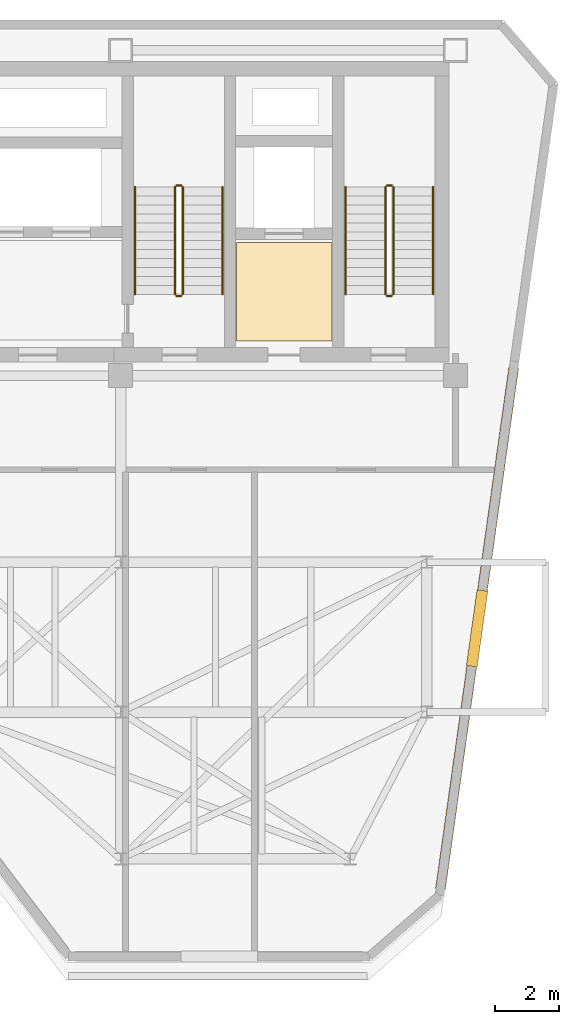
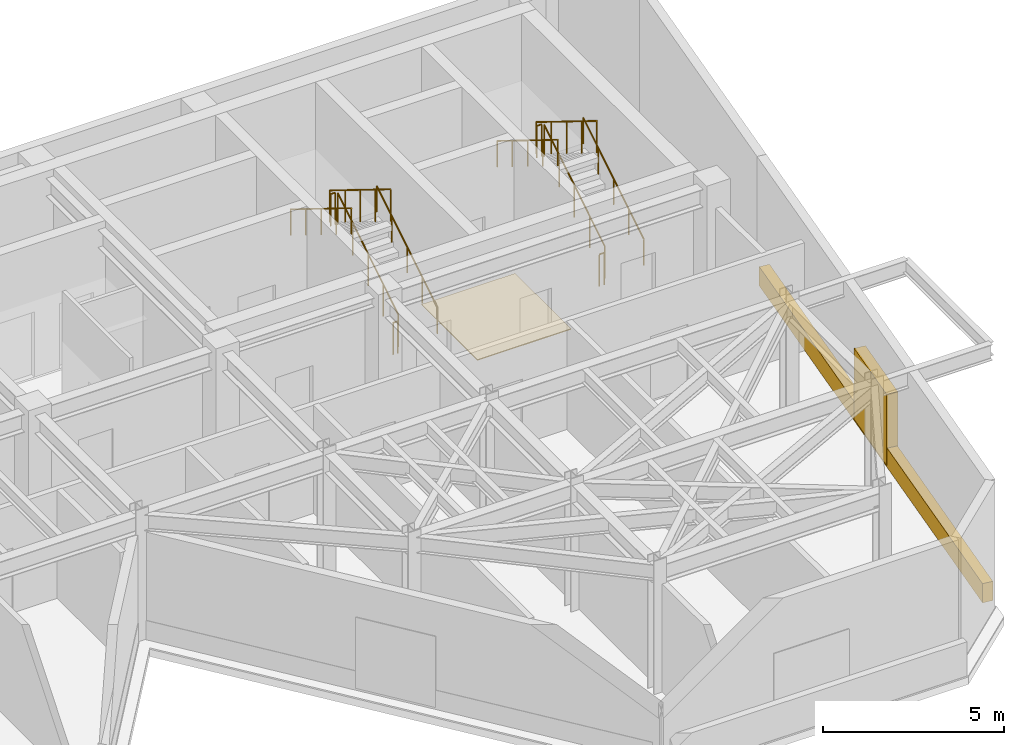
# One storey, part 6 of 6: 12 railings, 2 coverings, 1 shading device.
"""IFC4 building model written with IfcOpenShell, lengths in metres."""

from ifc_helpers import new_model, si_unit, direction, frame, origin, origin_2d, place, context, subcontext, project, spatial, polyline, rectangle, circle, outline, extrude, material, layer, layer_set, type_object, element, save


model = new_model("IFC4")

# Units and contexts
model_context = context("Model", 3, precision=1e-05, world=origin(), true_north=direction((0.0, 1.0)))
body_context = subcontext(model_context, "Body", "Model", "MODEL_VIEW")
ifc_project = project(units=[si_unit("LENGTHUNIT", "METRE"), si_unit("AREAUNIT", "SQUARE_METRE"), si_unit("VOLUMEUNIT", "CUBIC_METRE"), si_unit("PLANEANGLEUNIT", "RADIAN"), si_unit("MASSUNIT", "GRAM", prefix="KILO")], contexts=[model_context])

# Site, building, storey
site_placement = place(None, origin())
site = spatial("IfcSite", under=ifc_project, at=site_placement, CompositionType="ELEMENT")
building_placement = place(site_placement, origin())
building = spatial("IfcBuilding", under=site, at=building_placement, Name="Kravanh Interchange Tower", CompositionType="ELEMENT")
storey_placement = place(building_placement, frame((0.0, 0.0, 277.800048828125)))
storey = spatial("IfcBuildingStorey", under=building, at=storey_placement, Name="L68", CompositionType="ELEMENT", Elevation=277.800048828125)

# Shading device
ifc_material_1 = material(Name="Extruded Bronze Aluminium Acoustic Blades", Category="aluminium")
ifc_layer_1 = layer(ifc_material_1, 0.219970703125)
ifc_layer_set_1 = layer_set([ifc_layer_1], Name="Acoustic Weatherproof Plant Louvre Bank")
shading_device_type = type_object("IfcShadingDeviceType", Name="Acoustic Weatherproof Plant Louvre Bank", PredefinedType="JALOUSIE", material=ifc_layer_set_1)
shading_device_placement = place(storey_placement, frame((67.177978515625, 29.42578125, 0.10009765625), z_axis=(0.0, 0.0, 1.0), x_axis=(-0.139174151275, -0.990267921129, 0.0)))
element("IfcShadingDevice", 1, at=shading_device_placement, inside=storey, type_object=shading_device_type, Name="L68 Exterior Acoustic Louvre 7", PredefinedType="JALOUSIE", context=body_context, shape_type="SweptSolid", body=[
    extrude(rectangle(XDim=2.39990234375, YDim=0.340087890625, at=origin_2d()), origin(), (0.0, 0.0, 1.0), 2.39990234375),
])

# Coverings
ifc_material_2 = material(Name="Anodised Champagne Bronze Aluminium", Category="aluminium")
ifc_layer_2 = layer(ifc_material_2, 0.02490234375)
ifc_layer_set_2 = layer_set([ifc_layer_2], Name="Anodised Bronze Spandrel Fascia Cladding 25mm")
covering_type_1 = type_object("IfcCoveringType", Name="Anodised Bronze Spandrel Fascia Cladding 25mm", PredefinedType="CLADDING", material=ifc_layer_set_2)
covering_1_placement = place(storey_placement, frame((67.177978515625, 29.42578125, 0.02490234375), z_axis=(0.0, 0.0, 1.0), x_axis=(-0.139174151275, -0.990267921129, 0.0)))
element("IfcCovering", 2, at=covering_1_placement, inside=storey, type_object=covering_type_1, Name="L68 Bronze Fascia Cladding 7", PredefinedType="CLADDING", context=body_context, shape_type="SweptSolid", body=[
    extrude(rectangle(XDim=16.512939453125, YDim=0.31005859375, at=origin_2d()), origin(), (0.0, 0.0, 1.0), 0.64990234375),
])
ifc_material_3 = material(Name="Cementitious Terrazzo Tile")
ifc_layer_3 = layer(ifc_material_3, 0.030029296875)
ifc_layer_set_3 = layer_set([ifc_layer_3], Name="Honed Terrazzo Lobby Flooring 30mm")
covering_type_2 = type_object("IfcCoveringType", Name="Honed Terrazzo Lobby Flooring 30mm", PredefinedType="FLOORING", material=ifc_layer_set_3)
covering_2_placement = place(storey_placement, origin())
element("IfcCovering", 3, at=covering_2_placement, inside=storey, type_object=covering_type_2, Name="L68 Service Lift Lobby Floor Finish", PredefinedType="FLOORING", context=body_context, shape_type="SweptSolid", body=[
    extrude(outline(polyline([(59.6298828125, 41.52001953125), (62.6201171875, 41.52001953125), (62.6201171875, 38.429931640625), (59.6298828125, 38.429931640625), (59.6298828125, 41.52001953125)])), origin(), (0.0, 0.0, 1.0), 0.030029296875),
])

# Railings
ifc_material_4 = material(Name="Structural Steel S355", Category="steel")
ifc_layer_4 = layer(ifc_material_4, 0.050048828125)
ifc_layer_set_4 = layer_set([ifc_layer_4], Name="Stair Well Guardrail Structural Steel S355 1100mm")
railing_type_1 = type_object("IfcRailingType", Name="Stair Well Guardrail Structural Steel S355 1100mm", PredefinedType="GUARDRAIL", material=ifc_layer_set_4)
railing_1_placement = place(storey_placement, frame((64.550048828125, 39.89990234375, 0.173095703125)))
element("IfcRailing", 4, at=railing_1_placement, inside=storey, type_object=railing_type_1, Name="L68 ST1 stair guard 1", PredefinedType="GUARDRAIL", context=body_context, shape_type="SweptSolid", body=[
    extrude(circle(Radius=0.02392578125, at=origin_2d()), frame((0.0, 0.0, 1.076171875), z_axis=(0.0, 0.850623216509, 0.525775754039), x_axis=(-1.0, 0.0, 0.0)), (0.0, 0.0, 1.0), 3.9501953125),
    extrude(circle(Radius=0.02099609375, at=origin_2d()), origin(), (0.0, 0.0, 1.0), 1.052001953125),
    extrude(circle(Radius=0.02099609375, at=origin_2d()), frame((0.0, 0.840087890625, 0.519287109375)), (0.0, 0.0, 1.0), 1.052001953125),
    extrude(circle(Radius=0.02099609375, at=origin_2d()), frame((0.0, 1.68017578125, 1.03857421875)), (0.0, 0.0, 1.0), 1.052001953125),
    extrude(circle(Radius=0.02099609375, at=origin_2d()), frame((0.0, 2.52001953125, 1.5576171875)), (0.0, 0.0, 1.0), 1.052001953125),
    extrude(circle(Radius=0.02099609375, at=origin_2d()), frame((0.0, 3.360107421875, 2.076904296875)), (0.0, 0.0, 1.0), 1.052001953125),
])
railing_2_placement = place(storey_placement, frame((64.5, 43.31005859375, 2.25)))
element("IfcRailing", 5, at=railing_2_placement, inside=storey, type_object=railing_type_1, Name="L68 ST1 stair guard 2", PredefinedType="GUARDRAIL", context=body_context, shape_type="SweptSolid", body=[
    extrude(circle(Radius=0.02392578125, at=origin_2d()), frame((0.0, 0.0, 1.076171875), z_axis=(-1.0, 0.0, 0.0), x_axis=(0.0, -1.0, 0.0)), (0.0, 0.0, 1.0), 0.14990234375),
    extrude(circle(Radius=0.02099609375, at=origin_2d()), origin(), (0.0, 0.0, 1.0), 1.052001953125),
    extrude(circle(Radius=0.02099609375, at=origin_2d()), frame((-0.14990234375, 0.0, 0.0)), (0.0, 0.0, 1.0), 1.052001953125),
])
railing_3_placement = place(storey_placement, frame((64.300048828125, 43.260009765625, 2.423095703125)))
element("IfcRailing", 6, at=railing_3_placement, inside=storey, type_object=railing_type_1, Name="L68 ST1 stair guard 3", PredefinedType="GUARDRAIL", context=body_context, shape_type="SweptSolid", body=[
    extrude(circle(Radius=0.02392578125, at=origin_2d()), frame((0.0, 0.0, 1.076171875), z_axis=(0.0, -0.850623216509, 0.525775754039), x_axis=(1.0, 0.0, 0.0)), (0.0, 0.0, 1.0), 3.9501953125),
    extrude(circle(Radius=0.02099609375, at=origin_2d()), origin(), (0.0, 0.0, 1.0), 1.052001953125),
    extrude(circle(Radius=0.02099609375, at=origin_2d()), frame((0.0, -0.840087890625, 0.519287109375)), (0.0, 0.0, 1.0), 1.052001953125),
    extrude(circle(Radius=0.02099609375, at=origin_2d()), frame((0.0, -1.68017578125, 1.03857421875)), (0.0, 0.0, 1.0), 1.052001953125),
    extrude(circle(Radius=0.02099609375, at=origin_2d()), frame((0.0, -2.52001953125, 1.5576171875)), (0.0, 0.0, 1.0), 1.052001953125),
    extrude(circle(Radius=0.02099609375, at=origin_2d()), frame((0.0, -3.360107421875, 2.076904296875)), (0.0, 0.0, 1.0), 1.052001953125),
])
railing_4_placement = place(storey_placement, frame((64.5, 39.85009765625, 0.0)))
element("IfcRailing", 7, at=railing_4_placement, inside=storey, type_object=railing_type_1, Name="L68 ST1 stair guard 4", PredefinedType="GUARDRAIL", context=body_context, shape_type="SweptSolid", body=[
    extrude(circle(Radius=0.02392578125, at=origin_2d()), frame((0.0, 0.0, 1.076171875), z_axis=(-1.0, 0.0, 0.0), x_axis=(0.0, -1.0, 0.0)), (0.0, 0.0, 1.0), 0.14990234375),
    extrude(circle(Radius=0.02099609375, at=origin_2d()), origin(), (0.0, 0.0, 1.0), 1.052001953125),
    extrude(circle(Radius=0.02099609375, at=origin_2d()), frame((-0.14990234375, 0.0, 0.0)), (0.0, 0.0, 1.0), 1.052001953125),
])
railing_5_placement = place(storey_placement, frame((57.949951171875, 39.89990234375, 0.173095703125)))
element("IfcRailing", 8, at=railing_5_placement, inside=storey, type_object=railing_type_1, Name="L68 ST2 stair guard 1", PredefinedType="GUARDRAIL", context=body_context, shape_type="SweptSolid", body=[
    extrude(circle(Radius=0.02392578125, at=origin_2d()), frame((0.0, 0.0, 1.076171875), z_axis=(0.0, 0.850623216509, 0.525775754039), x_axis=(-1.0, 0.0, 0.0)), (0.0, 0.0, 1.0), 3.9501953125),
    extrude(circle(Radius=0.02099609375, at=origin_2d()), origin(), (0.0, 0.0, 1.0), 1.052001953125),
    extrude(circle(Radius=0.02099609375, at=origin_2d()), frame((0.0, 0.840087890625, 0.519287109375)), (0.0, 0.0, 1.0), 1.052001953125),
    extrude(circle(Radius=0.02099609375, at=origin_2d()), frame((0.0, 1.68017578125, 1.03857421875)), (0.0, 0.0, 1.0), 1.052001953125),
    extrude(circle(Radius=0.02099609375, at=origin_2d()), frame((0.0, 2.52001953125, 1.5576171875)), (0.0, 0.0, 1.0), 1.052001953125),
    extrude(circle(Radius=0.02099609375, at=origin_2d()), frame((0.0, 3.360107421875, 2.076904296875)), (0.0, 0.0, 1.0), 1.052001953125),
])
railing_6_placement = place(storey_placement, frame((57.89990234375, 43.31005859375, 2.25)))
element("IfcRailing", 9, at=railing_6_placement, inside=storey, type_object=railing_type_1, Name="L68 ST2 stair guard 2", PredefinedType="GUARDRAIL", context=body_context, shape_type="SweptSolid", body=[
    extrude(circle(Radius=0.02392578125, at=origin_2d()), frame((0.0, 0.0, 1.076171875), z_axis=(-1.0, 0.0, 0.0), x_axis=(0.0, -1.0, 0.0)), (0.0, 0.0, 1.0), 0.14990234375),
    extrude(circle(Radius=0.02099609375, at=origin_2d()), origin(), (0.0, 0.0, 1.0), 1.052001953125),
    extrude(circle(Radius=0.02099609375, at=origin_2d()), frame((-0.14990234375, 0.0, 0.0)), (0.0, 0.0, 1.0), 1.052001953125),
])
railing_7_placement = place(storey_placement, frame((57.699951171875, 43.260009765625, 2.423095703125)))
element("IfcRailing", 10, at=railing_7_placement, inside=storey, type_object=railing_type_1, Name="L68 ST2 stair guard 3", PredefinedType="GUARDRAIL", context=body_context, shape_type="SweptSolid", body=[
    extrude(circle(Radius=0.02392578125, at=origin_2d()), frame((0.0, 0.0, 1.076171875), z_axis=(0.0, -0.850623216509, 0.525775754039), x_axis=(1.0, 0.0, 0.0)), (0.0, 0.0, 1.0), 3.9501953125),
    extrude(circle(Radius=0.02099609375, at=origin_2d()), origin(), (0.0, 0.0, 1.0), 1.052001953125),
    extrude(circle(Radius=0.02099609375, at=origin_2d()), frame((0.0, -0.840087890625, 0.519287109375)), (0.0, 0.0, 1.0), 1.052001953125),
    extrude(circle(Radius=0.02099609375, at=origin_2d()), frame((0.0, -1.68017578125, 1.03857421875)), (0.0, 0.0, 1.0), 1.052001953125),
    extrude(circle(Radius=0.02099609375, at=origin_2d()), frame((0.0, -2.52001953125, 1.5576171875)), (0.0, 0.0, 1.0), 1.052001953125),
    extrude(circle(Radius=0.02099609375, at=origin_2d()), frame((0.0, -3.360107421875, 2.076904296875)), (0.0, 0.0, 1.0), 1.052001953125),
])
railing_8_placement = place(storey_placement, frame((57.89990234375, 39.85009765625, 0.0)))
element("IfcRailing", 11, at=railing_8_placement, inside=storey, type_object=railing_type_1, Name="L68 ST2 stair guard 4", PredefinedType="GUARDRAIL", context=body_context, shape_type="SweptSolid", body=[
    extrude(circle(Radius=0.02392578125, at=origin_2d()), frame((0.0, 0.0, 1.076171875), z_axis=(-1.0, 0.0, 0.0), x_axis=(0.0, -1.0, 0.0)), (0.0, 0.0, 1.0), 0.14990234375),
    extrude(circle(Radius=0.02099609375, at=origin_2d()), origin(), (0.0, 0.0, 1.0), 1.052001953125),
    extrude(circle(Radius=0.02099609375, at=origin_2d()), frame((-0.14990234375, 0.0, 0.0)), (0.0, 0.0, 1.0), 1.052001953125),
])
ifc_material_5 = material(Name="Stainless Steel 304", Category="steel")
ifc_layer_5 = layer(ifc_material_5, 0.044921875)
ifc_layer_set_5 = layer_set([ifc_layer_5], Name="Tubular Stair Handrail Stainless 304 900mm")
railing_type_2 = type_object("IfcRailingType", Name="Tubular Stair Handrail Stainless 304 900mm", PredefinedType="HANDRAIL", material=ifc_layer_set_5)
railing_9_placement = place(storey_placement, frame((65.800048828125, 39.89990234375, 0.173095703125)))
element("IfcRailing", 12, at=railing_9_placement, inside=storey, type_object=railing_type_2, Name="L68 ST1 stair handrail 1", PredefinedType="HANDRAIL", context=body_context, shape_type="SweptSolid", body=[
    extrude(circle(Radius=0.02392578125, at=origin_2d()), frame((0.0, 0.0, 0.8759765625), z_axis=(0.0, 0.850623216509, 0.525775754039), x_axis=(-1.0, 0.0, 0.0)), (0.0, 0.0, 1.0), 3.9501953125),
    extrude(circle(Radius=0.02099609375, at=origin_2d()), origin(), (0.0, 0.0, 1.0), 0.851806640625),
    extrude(circle(Radius=0.02099609375, at=origin_2d()), frame((0.0, 0.840087890625, 0.519287109375)), (0.0, 0.0, 1.0), 0.851806640625),
    extrude(circle(Radius=0.02099609375, at=origin_2d()), frame((0.0, 1.68017578125, 1.03857421875)), (0.0, 0.0, 1.0), 0.851806640625),
    extrude(circle(Radius=0.02099609375, at=origin_2d()), frame((0.0, 2.52001953125, 1.5576171875)), (0.0, 0.0, 1.0), 0.851806640625),
    extrude(circle(Radius=0.02099609375, at=origin_2d()), frame((0.0, 3.360107421875, 2.076904296875)), (0.0, 0.0, 1.0), 0.851806640625),
])
railing_10_placement = place(storey_placement, frame((63.050048828125, 43.260009765625, 2.423095703125)))
element("IfcRailing", 13, at=railing_10_placement, inside=storey, type_object=railing_type_2, Name="L68 ST1 stair handrail 2", PredefinedType="HANDRAIL", context=body_context, shape_type="SweptSolid", body=[
    extrude(circle(Radius=0.02392578125, at=origin_2d()), frame((0.0, 0.0, 0.8759765625), z_axis=(0.0, -0.850623216509, 0.525775754039), x_axis=(1.0, 0.0, 0.0)), (0.0, 0.0, 1.0), 3.9501953125),
    extrude(circle(Radius=0.02099609375, at=origin_2d()), origin(), (0.0, 0.0, 1.0), 0.851806640625),
    extrude(circle(Radius=0.02099609375, at=origin_2d()), frame((0.0, -0.840087890625, 0.519287109375)), (0.0, 0.0, 1.0), 0.851806640625),
    extrude(circle(Radius=0.02099609375, at=origin_2d()), frame((0.0, -1.68017578125, 1.03857421875)), (0.0, 0.0, 1.0), 0.851806640625),
    extrude(circle(Radius=0.02099609375, at=origin_2d()), frame((0.0, -2.52001953125, 1.5576171875)), (0.0, 0.0, 1.0), 0.851806640625),
    extrude(circle(Radius=0.02099609375, at=origin_2d()), frame((0.0, -3.360107421875, 2.076904296875)), (0.0, 0.0, 1.0), 0.851806640625),
])
railing_11_placement = place(storey_placement, frame((59.199951171875, 39.89990234375, 0.173095703125)))
element("IfcRailing", 14, at=railing_11_placement, inside=storey, type_object=railing_type_2, Name="L68 ST2 stair handrail 1", PredefinedType="HANDRAIL", context=body_context, shape_type="SweptSolid", body=[
    extrude(circle(Radius=0.02392578125, at=origin_2d()), frame((0.0, 0.0, 0.8759765625), z_axis=(0.0, 0.850623216509, 0.525775754039), x_axis=(-1.0, 0.0, 0.0)), (0.0, 0.0, 1.0), 3.9501953125),
    extrude(circle(Radius=0.02099609375, at=origin_2d()), origin(), (0.0, 0.0, 1.0), 0.851806640625),
    extrude(circle(Radius=0.02099609375, at=origin_2d()), frame((0.0, 0.840087890625, 0.519287109375)), (0.0, 0.0, 1.0), 0.851806640625),
    extrude(circle(Radius=0.02099609375, at=origin_2d()), frame((0.0, 1.68017578125, 1.03857421875)), (0.0, 0.0, 1.0), 0.851806640625),
    extrude(circle(Radius=0.02099609375, at=origin_2d()), frame((0.0, 2.52001953125, 1.5576171875)), (0.0, 0.0, 1.0), 0.851806640625),
    extrude(circle(Radius=0.02099609375, at=origin_2d()), frame((0.0, 3.360107421875, 2.076904296875)), (0.0, 0.0, 1.0), 0.851806640625),
])
railing_12_placement = place(storey_placement, frame((56.449951171875, 43.260009765625, 2.423095703125)))
element("IfcRailing", 15, at=railing_12_placement, inside=storey, type_object=railing_type_2, Name="L68 ST2 stair handrail 2", PredefinedType="HANDRAIL", context=body_context, shape_type="SweptSolid", body=[
    extrude(circle(Radius=0.02392578125, at=origin_2d()), frame((0.0, 0.0, 0.8759765625), z_axis=(0.0, -0.850623216509, 0.525775754039), x_axis=(1.0, 0.0, 0.0)), (0.0, 0.0, 1.0), 3.9501953125),
    extrude(circle(Radius=0.02099609375, at=origin_2d()), origin(), (0.0, 0.0, 1.0), 0.851806640625),
    extrude(circle(Radius=0.02099609375, at=origin_2d()), frame((0.0, -0.840087890625, 0.519287109375)), (0.0, 0.0, 1.0), 0.851806640625),
    extrude(circle(Radius=0.02099609375, at=origin_2d()), frame((0.0, -1.68017578125, 1.03857421875)), (0.0, 0.0, 1.0), 0.851806640625),
    extrude(circle(Radius=0.02099609375, at=origin_2d()), frame((0.0, -2.52001953125, 1.5576171875)), (0.0, 0.0, 1.0), 0.851806640625),
    extrude(circle(Radius=0.02099609375, at=origin_2d()), frame((0.0, -3.360107421875, 2.076904296875)), (0.0, 0.0, 1.0), 0.851806640625),
])

save(model, "model.ifc")
